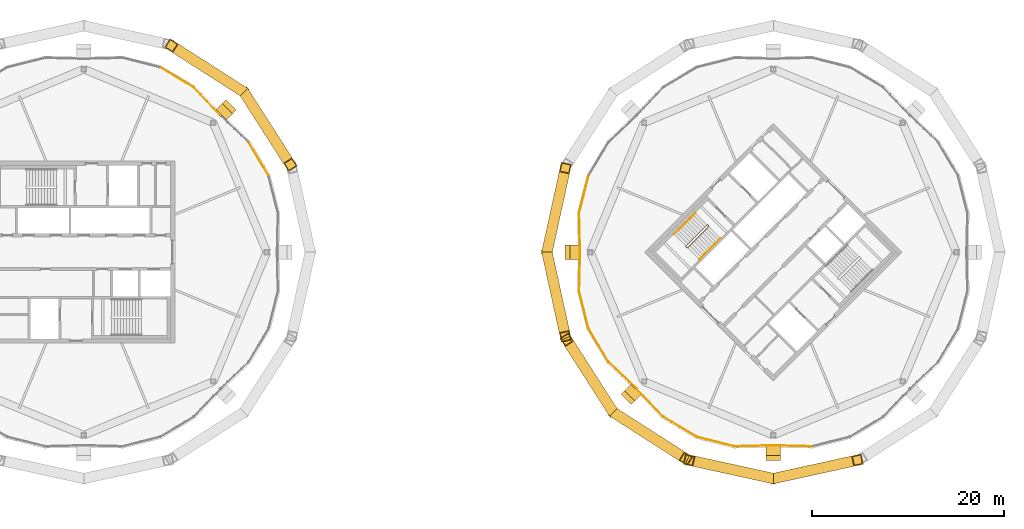
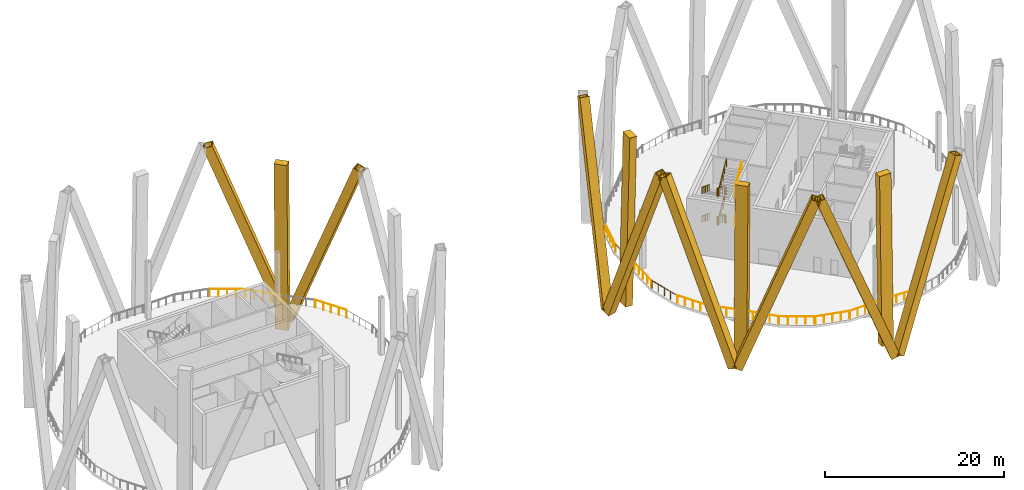
# One storey, part 11 of 13: 19 railings, 12 coverings.
"""IFC4 building model written with IfcOpenShell, lengths in metres."""

from ifc_helpers import new_model, si_unit, direction, frame, origin, origin_2d, place, context, subcontext, project, spatial, rectangle, hollow_rectangle, circle, extrude, material, material_profile, profile_set, type_object, element, save


model = new_model("IFC4")

# Units and contexts
model_context = context("Model", 3, precision=1e-05, world=origin(), true_north=direction((0.0, 1.0)))
body_context = subcontext(model_context, "Body", "Model", "MODEL_VIEW")
ifc_project = project(units=[si_unit("LENGTHUNIT", "METRE"), si_unit("AREAUNIT", "SQUARE_METRE"), si_unit("VOLUMEUNIT", "CUBIC_METRE"), si_unit("PLANEANGLEUNIT", "RADIAN"), si_unit("MASSUNIT", "GRAM", prefix="KILO")], contexts=[model_context])

# Site, building, storey
site_placement = place(None, origin())
site = spatial("IfcSite", under=ifc_project, at=site_placement, CompositionType="ELEMENT")
building_placement = place(site_placement, origin())
building = spatial("IfcBuilding", under=site, at=building_placement, Name="Ogive Gate Towers", CompositionType="ELEMENT")
storey_placement = place(building_placement, frame((0.0, 0.0, 221.10009765625)))
storey = spatial("IfcBuildingStorey", under=building, at=storey_placement, Name="L53", CompositionType="ELEMENT", Elevation=221.10009765625)

# Coverings
ifc_material_1 = material(Name="Pale metal aluminium", Category="aluminium")
ifc_material_profile_1 = material_profile(ifc_material_1, rectangle(XDim=1.5, YDim=0.89990234375, at=origin_2d()), Name="1500 x 900 pale metal aluminium")
ifc_profile_set_1 = profile_set([ifc_material_profile_1], Name="Pale metal aluminium")
covering_type_1 = type_object("IfcCoveringType", Name="Crease colonnette 1500 x 900", PredefinedType="CLADDING", material=ifc_profile_set_1)
for number, where, z_axis, x_axis, name in (
    (1, (-20.938720703125, 15.061279296875, -4.10009765625), (-0.016658843266, -0.016658843266, 0.999722444423), (0.707106781187, -0.707106781187, 0.0), "Crease colonnette"),
    (2, (14.699951171875, 0.0, -4.10009765625), (0.023576037518, 0.0, 0.999722046598), (0.0, 1.0, 0.0), "Crease colonnette"),
    (3, (20.938720703125, -15.061279296875, -4.10009765625), (0.016658843266, 0.016658843266, 0.999722444423), (-0.707106781187, 0.707106781187, 0.0), "Crease colonnette"),
    (4, (36.0, -21.300048828125, -4.10009765625), (0.0, 0.023576037518, 0.999722046598), (-1.0, 0.0, 0.0), "Crease colonnette"),
):
    element("IfcCovering", number, at=place(storey_placement, frame(where, z_axis=z_axis, x_axis=x_axis)), inside=storey, type_object=covering_type_1, Name=name, PredefinedType="CLADDING", context=body_context, shape_type="SweptSolid", body=[
        extrude(rectangle(XDim=1.5, YDim=0.89990234375, at=origin_2d()), origin(), (0.0, 0.0, 1.0), 22.90625),
    ])
ifc_material_2 = material(Name="Pale metal aluminium cladding", Category="aluminium")
ifc_material_profile_2 = material_profile(ifc_material_2, hollow_rectangle(XDim=1.10009765625, YDim=1.10009765625, WallThickness=0.10009765625, at=origin_2d()), Name="1100 x 1100 pale metal casing")
ifc_profile_set_2 = profile_set([ifc_material_profile_2], Name="Pale metal aluminium cladding")
covering_type_2 = type_object("IfcCoveringType", Name="Diagrid casing 1100 x 1100", PredefinedType="CLADDING", material=ifc_profile_set_2)
for number, where, z_axis, x_axis, name in (
    (5, (-19.178955078125, 16.55224609375, -4.28564453125), (0.1908382324, -0.297856011223, 0.935340882049), (0.842001268927, 0.539475544511, 0.0), "Diagrid casing"),
    (6, (-19.44775390625, 16.821044921875, -4.28564453125), (-0.297856011223, 0.1908382324, 0.935340882049), (-0.539475544511, -0.842001268927, 0.0), "Diagrid casing"),
    (7, (12.401611328125, 0.190185546875, -4.28564453125), (0.075666188723, 0.345556326789, 0.935342425479), (-0.976855297025, 0.21390121242, 0.0), "Diagrid casing"),
    (8, (12.401611328125, -0.190185546875, -4.28564453125), (0.075666188723, -0.345556326789, 0.935342425479), (0.976855297025, 0.21390121242, 0.0), "Diagrid casing"),
    (9, (19.178955078125, -16.55224609375, -4.28564453125), (-0.1908382324, 0.297856011223, 0.935340882049), (-0.842001268927, -0.539475544511, 0.0), "Diagrid casing"),
    (10, (19.44775390625, -16.821044921875, -4.28564453125), (0.297856011223, -0.1908382324, 0.935340882049), (0.539475544511, 0.842001268927, 0.0), "Diagrid casing"),
    (11, (35.809814453125, -23.598388671875, -4.28564453125), (-0.345556326789, 0.075666188723, 0.935342425479), (-0.21390121242, -0.976855297025, 0.0), "Diagrid casing"),
    (12, (36.190185546875, -23.598388671875, -4.28564453125), (0.345556326789, 0.075666188723, 0.935342425479), (-0.21390121242, 0.976855297025, 0.0), "Diagrid casing"),
):
    element("IfcCovering", number, at=place(storey_placement, frame(where, z_axis=z_axis, x_axis=x_axis)), inside=storey, type_object=covering_type_2, Name=name, PredefinedType="CLADDING", context=body_context, shape_type="SweptSolid", body=[
        extrude(hollow_rectangle(XDim=1.10009765625, YDim=1.10009765625, WallThickness=0.10009765625, at=origin_2d()), origin(), (0.0, 0.0, 1.0), 24.8798828125),
    ])

# Railings
ifc_material_3 = material(Name="Stainless steel", Category="steel")
railing_type_1 = type_object("IfcRailingType", Name="Guard 1100", PredefinedType="GUARDRAIL", material=ifc_material_3)
railing_1_placement = place(storey_placement, frame((-16.737060546875, 8.032470703125, 0.0)))
element("IfcRailing", 13, at=railing_1_placement, inside=storey, type_object=railing_type_1, Name="Wind floor guard", PredefinedType="GUARDRAIL", context=body_context, shape_type="SweptSolid", body=[
    extrude(circle(Radius=0.02392578125, at=origin_2d()), frame((0.0, 0.0, 1.076171875), z_axis=(-0.513489284672, 0.858096005426, 0.0), x_axis=(-0.858096005426, -0.513489284672, 0.0)), (0.0, 0.0, 1.0), 3.9609375),
    extrude(circle(Radius=0.02099609375, at=origin_2d()), origin(), (0.0, 0.0, 1.0), 1.052001953125),
    extrude(circle(Radius=0.02099609375, at=origin_2d()), frame((-0.508544921875, 0.849609375, 0.0)), (0.0, 0.0, 1.0), 1.052001953125),
    extrude(circle(Radius=0.02099609375, at=origin_2d()), frame((-1.01708984375, 1.699462890625, 0.0)), (0.0, 0.0, 1.0), 1.052001953125),
    extrude(circle(Radius=0.02099609375, at=origin_2d()), frame((-1.525390625, 2.54931640625, 0.0)), (0.0, 0.0, 1.0), 1.052001953125),
    extrude(circle(Radius=0.02099609375, at=origin_2d()), frame((-2.033935546875, 3.39892578125, 0.0)), (0.0, 0.0, 1.0), 1.052001953125),
])
railing_2_placement = place(storey_placement, frame((-21.76513671875, 14.3056640625, 0.0)))
element("IfcRailing", 14, at=railing_2_placement, inside=storey, type_object=railing_type_1, Name="Wind floor guard", PredefinedType="GUARDRAIL", context=body_context, shape_type="SweptSolid", body=[
    extrude(circle(Radius=0.02392578125, at=origin_2d()), frame((0.0, 0.0, 1.076171875), z_axis=(-0.689756969801, 0.724040967494, 0.0), x_axis=(-0.724040967494, -0.689756969801, 0.0)), (0.0, 0.0, 1.0), 3.9521484375),
    extrude(circle(Radius=0.02099609375, at=origin_2d()), origin(), (0.0, 0.0, 1.0), 1.052001953125),
    extrude(circle(Radius=0.02099609375, at=origin_2d()), frame((-0.681640625, 0.71533203125, 0.0)), (0.0, 0.0, 1.0), 1.052001953125),
    extrude(circle(Radius=0.02099609375, at=origin_2d()), frame((-1.363037109375, 1.4306640625, 0.0)), (0.0, 0.0, 1.0), 1.052001953125),
    extrude(circle(Radius=0.02099609375, at=origin_2d()), frame((-2.04443359375, 2.146240234375, 0.0)), (0.0, 0.0, 1.0), 1.052001953125),
    extrude(circle(Radius=0.02099609375, at=origin_2d()), frame((-2.72607421875, 2.861572265625, 0.0)), (0.0, 0.0, 1.0), 1.052001953125),
])
railing_3_placement = place(storey_placement, frame((-24.568603515625, 17.22900390625, 0.0)))
element("IfcRailing", 15, at=railing_3_placement, inside=storey, type_object=railing_type_1, Name="Wind floor guard", PredefinedType="GUARDRAIL", context=body_context, shape_type="SweptSolid", body=[
    extrude(circle(Radius=0.02392578125, at=origin_2d()), frame((0.0, 0.0, 1.076171875), z_axis=(-0.858096005426, 0.513489284672, 0.0), x_axis=(-0.513489284672, -0.858096005426, 0.0)), (0.0, 0.0, 1.0), 3.9609375),
    extrude(circle(Radius=0.02099609375, at=origin_2d()), origin(), (0.0, 0.0, 1.0), 1.052001953125),
    extrude(circle(Radius=0.02099609375, at=origin_2d()), frame((-0.849609375, 0.508544921875, 0.0)), (0.0, 0.0, 1.0), 1.052001953125),
    extrude(circle(Radius=0.02099609375, at=origin_2d()), frame((-1.699462890625, 1.01708984375, 0.0)), (0.0, 0.0, 1.0), 1.052001953125),
    extrude(circle(Radius=0.02099609375, at=origin_2d()), frame((-2.54931640625, 1.525390625, 0.0)), (0.0, 0.0, 1.0), 1.052001953125),
    extrude(circle(Radius=0.02099609375, at=origin_2d()), frame((-3.39892578125, 2.033935546875, 0.0)), (0.0, 0.0, 1.0), 1.052001953125),
])
railing_4_placement = place(storey_placement, frame((16.69921875, 7.941162109375, 0.0)))
element("IfcRailing", 16, at=railing_4_placement, inside=storey, type_object=railing_type_1, Name="Wind floor guard", PredefinedType="GUARDRAIL", context=body_context, shape_type="SweptSolid", body=[
    extrude(circle(Radius=0.02392578125, at=origin_2d()), frame((0.0, 0.0, 1.076171875), z_axis=(-0.243710163723, -0.969848109808, 0.0), x_axis=(0.969848109808, -0.243710163723, 0.0)), (0.0, 0.0, 1.0), 3.9609375),
    extrude(circle(Radius=0.02099609375, at=origin_2d()), origin(), (0.0, 0.0, 1.0), 1.052001953125),
    extrude(circle(Radius=0.02099609375, at=origin_2d()), frame((-0.2412109375, -0.96044921875, 0.0)), (0.0, 0.0, 1.0), 1.052001953125),
    extrude(circle(Radius=0.02099609375, at=origin_2d()), frame((-0.482666015625, -1.9208984375, 0.0)), (0.0, 0.0, 1.0), 1.052001953125),
    extrude(circle(Radius=0.02099609375, at=origin_2d()), frame((-0.72412109375, -2.881103515625, 0.0)), (0.0, 0.0, 1.0), 1.052001953125),
    extrude(circle(Radius=0.02099609375, at=origin_2d()), frame((-0.96533203125, -3.841552734375, 0.0)), (0.0, 0.0, 1.0), 1.052001953125),
])
railing_5_placement = place(storey_placement, frame((15.722900390625, 4.001220703125, 0.0)))
element("IfcRailing", 17, at=railing_5_placement, inside=storey, type_object=railing_type_1, Name="Wind floor guard", PredefinedType="GUARDRAIL", context=body_context, shape_type="SweptSolid", body=[
    extrude(circle(Radius=0.02392578125, at=origin_2d()), frame((0.0, 0.0, 1.076171875), z_axis=(0.024276086252, -0.999705292392, 0.0), x_axis=(0.999705292392, 0.024276086252, 0.0)), (0.0, 0.0, 1.0), 3.952392578125),
    extrude(circle(Radius=0.02099609375, at=origin_2d()), origin(), (0.0, 0.0, 1.0), 1.052001953125),
    extrude(circle(Radius=0.02099609375, at=origin_2d()), frame((0.02392578125, -0.98779296875, 0.0)), (0.0, 0.0, 1.0), 1.052001953125),
    extrude(circle(Radius=0.02099609375, at=origin_2d()), frame((0.0478515625, -1.9755859375, 0.0)), (0.0, 0.0, 1.0), 1.052001953125),
    extrude(circle(Radius=0.02099609375, at=origin_2d()), frame((0.072021484375, -2.96337890625, 0.0)), (0.0, 0.0, 1.0), 1.052001953125),
    extrude(circle(Radius=0.02099609375, at=origin_2d()), frame((0.095947265625, -3.951171875, 0.0)), (0.0, 0.0, 1.0), 1.052001953125),
])
railing_6_placement = place(storey_placement, frame((15.81884765625, -0.050048828125, 0.0)))
element("IfcRailing", 18, at=railing_6_placement, inside=storey, type_object=railing_type_1, Name="Wind floor guard", PredefinedType="GUARDRAIL", context=body_context, shape_type="SweptSolid", body=[
    extrude(circle(Radius=0.02392578125, at=origin_2d()), frame((0.0, 0.0, 1.076171875), z_axis=(-0.024276086252, -0.999705292392, 0.0), x_axis=(0.999705292392, -0.024276086252, 0.0)), (0.0, 0.0, 1.0), 3.952392578125),
    extrude(circle(Radius=0.02099609375, at=origin_2d()), origin(), (0.0, 0.0, 1.0), 1.052001953125),
    extrude(circle(Radius=0.02099609375, at=origin_2d()), frame((-0.02392578125, -0.98779296875, 0.0)), (0.0, 0.0, 1.0), 1.052001953125),
    extrude(circle(Radius=0.02099609375, at=origin_2d()), frame((-0.0478515625, -1.9755859375, 0.0)), (0.0, 0.0, 1.0), 1.052001953125),
    extrude(circle(Radius=0.02099609375, at=origin_2d()), frame((-0.072021484375, -2.96337890625, 0.0)), (0.0, 0.0, 1.0), 1.052001953125),
    extrude(circle(Radius=0.02099609375, at=origin_2d()), frame((-0.095947265625, -3.951171875, 0.0)), (0.0, 0.0, 1.0), 1.052001953125),
])
railing_7_placement = place(storey_placement, frame((15.73388671875, -4.099609375, 0.0)))
element("IfcRailing", 19, at=railing_7_placement, inside=storey, type_object=railing_type_1, Name="Wind floor guard", PredefinedType="GUARDRAIL", context=body_context, shape_type="SweptSolid", body=[
    extrude(circle(Radius=0.02392578125, at=origin_2d()), frame((0.0, 0.0, 1.076171875), z_axis=(0.243710163723, -0.969848109808, 0.0), x_axis=(0.969848109808, 0.243710163723, 0.0)), (0.0, 0.0, 1.0), 3.9609375),
    extrude(circle(Radius=0.02099609375, at=origin_2d()), origin(), (0.0, 0.0, 1.0), 1.052001953125),
    extrude(circle(Radius=0.02099609375, at=origin_2d()), frame((0.2412109375, -0.96044921875, 0.0)), (0.0, 0.0, 1.0), 1.052001953125),
    extrude(circle(Radius=0.02099609375, at=origin_2d()), frame((0.482666015625, -1.9208984375, 0.0)), (0.0, 0.0, 1.0), 1.052001953125),
    extrude(circle(Radius=0.02099609375, at=origin_2d()), frame((0.72412109375, -2.881103515625, 0.0)), (0.0, 0.0, 1.0), 1.052001953125),
    extrude(circle(Radius=0.02099609375, at=origin_2d()), frame((0.96533203125, -3.841552734375, 0.0)), (0.0, 0.0, 1.0), 1.052001953125),
])
railing_8_placement = place(storey_placement, frame((16.737060546875, -8.032470703125, 0.0)))
element("IfcRailing", 20, at=railing_8_placement, inside=storey, type_object=railing_type_1, Name="Wind floor guard", PredefinedType="GUARDRAIL", context=body_context, shape_type="SweptSolid", body=[
    extrude(circle(Radius=0.02392578125, at=origin_2d()), frame((0.0, 0.0, 1.076171875), z_axis=(0.513489284672, -0.858096005426, 0.0), x_axis=(0.858096005426, 0.513489284672, 0.0)), (0.0, 0.0, 1.0), 3.9609375),
    extrude(circle(Radius=0.02099609375, at=origin_2d()), origin(), (0.0, 0.0, 1.0), 1.052001953125),
    extrude(circle(Radius=0.02099609375, at=origin_2d()), frame((0.508544921875, -0.849609375, 0.0)), (0.0, 0.0, 1.0), 1.052001953125),
    extrude(circle(Radius=0.02099609375, at=origin_2d()), frame((1.01708984375, -1.699462890625, 0.0)), (0.0, 0.0, 1.0), 1.052001953125),
    extrude(circle(Radius=0.02099609375, at=origin_2d()), frame((1.525390625, -2.54931640625, 0.0)), (0.0, 0.0, 1.0), 1.052001953125),
    extrude(circle(Radius=0.02099609375, at=origin_2d()), frame((2.033935546875, -3.39892578125, 0.0)), (0.0, 0.0, 1.0), 1.052001953125),
])
railing_9_placement = place(storey_placement, frame((18.832763671875, -11.5087890625, 0.0)))
element("IfcRailing", 21, at=railing_9_placement, inside=storey, type_object=railing_type_1, Name="Wind floor guard", PredefinedType="GUARDRAIL", context=body_context, shape_type="SweptSolid", body=[
    extrude(circle(Radius=0.02392578125, at=origin_2d()), frame((0.0, 0.0, 1.076171875), z_axis=(0.724040967494, -0.689756969801, 0.0), x_axis=(0.689756969801, 0.724040967494, 0.0)), (0.0, 0.0, 1.0), 3.9521484375),
    extrude(circle(Radius=0.02099609375, at=origin_2d()), origin(), (0.0, 0.0, 1.0), 1.052001953125),
    extrude(circle(Radius=0.02099609375, at=origin_2d()), frame((0.71533203125, -0.681640625, 0.0)), (0.0, 0.0, 1.0), 1.052001953125),
    extrude(circle(Radius=0.02099609375, at=origin_2d()), frame((1.4306640625, -1.363037109375, 0.0)), (0.0, 0.0, 1.0), 1.052001953125),
    extrude(circle(Radius=0.02099609375, at=origin_2d()), frame((2.146240234375, -2.04443359375, 0.0)), (0.0, 0.0, 1.0), 1.052001953125),
    extrude(circle(Radius=0.02099609375, at=origin_2d()), frame((2.861572265625, -2.72607421875, 0.0)), (0.0, 0.0, 1.0), 1.052001953125),
])
railing_10_placement = place(storey_placement, frame((21.76513671875, -14.3056640625, 0.0)))
element("IfcRailing", 22, at=railing_10_placement, inside=storey, type_object=railing_type_1, Name="Wind floor guard", PredefinedType="GUARDRAIL", context=body_context, shape_type="SweptSolid", body=[
    extrude(circle(Radius=0.02392578125, at=origin_2d()), frame((0.0, 0.0, 1.076171875), z_axis=(0.689756969801, -0.724040967494, 0.0), x_axis=(0.724040967494, 0.689756969801, 0.0)), (0.0, 0.0, 1.0), 3.9521484375),
    extrude(circle(Radius=0.02099609375, at=origin_2d()), origin(), (0.0, 0.0, 1.0), 1.052001953125),
    extrude(circle(Radius=0.02099609375, at=origin_2d()), frame((0.681640625, -0.71533203125, 0.0)), (0.0, 0.0, 1.0), 1.052001953125),
    extrude(circle(Radius=0.02099609375, at=origin_2d()), frame((1.363037109375, -1.4306640625, 0.0)), (0.0, 0.0, 1.0), 1.052001953125),
    extrude(circle(Radius=0.02099609375, at=origin_2d()), frame((2.04443359375, -2.146240234375, 0.0)), (0.0, 0.0, 1.0), 1.052001953125),
    extrude(circle(Radius=0.02099609375, at=origin_2d()), frame((2.72607421875, -2.861572265625, 0.0)), (0.0, 0.0, 1.0), 1.052001953125),
])
railing_11_placement = place(storey_placement, frame((24.568603515625, -17.22900390625, 0.0)))
element("IfcRailing", 23, at=railing_11_placement, inside=storey, type_object=railing_type_1, Name="Wind floor guard", PredefinedType="GUARDRAIL", context=body_context, shape_type="SweptSolid", body=[
    extrude(circle(Radius=0.02392578125, at=origin_2d()), frame((0.0, 0.0, 1.076171875), z_axis=(0.858096005426, -0.513489284672, 0.0), x_axis=(0.513489284672, 0.858096005426, 0.0)), (0.0, 0.0, 1.0), 3.9609375),
    extrude(circle(Radius=0.02099609375, at=origin_2d()), origin(), (0.0, 0.0, 1.0), 1.052001953125),
    extrude(circle(Radius=0.02099609375, at=origin_2d()), frame((0.849609375, -0.508544921875, 0.0)), (0.0, 0.0, 1.0), 1.052001953125),
    extrude(circle(Radius=0.02099609375, at=origin_2d()), frame((1.699462890625, -1.01708984375, 0.0)), (0.0, 0.0, 1.0), 1.052001953125),
    extrude(circle(Radius=0.02099609375, at=origin_2d()), frame((2.54931640625, -1.525390625, 0.0)), (0.0, 0.0, 1.0), 1.052001953125),
    extrude(circle(Radius=0.02099609375, at=origin_2d()), frame((3.39892578125, -2.033935546875, 0.0)), (0.0, 0.0, 1.0), 1.052001953125),
])
railing_12_placement = place(storey_placement, frame((28.058837890625, -19.30078125, 0.0)))
element("IfcRailing", 24, at=railing_12_placement, inside=storey, type_object=railing_type_1, Name="Wind floor guard", PredefinedType="GUARDRAIL", context=body_context, shape_type="SweptSolid", body=[
    extrude(circle(Radius=0.02392578125, at=origin_2d()), frame((0.0, 0.0, 1.076171875), z_axis=(0.969848109808, -0.243710163723, 0.0), x_axis=(0.243710163723, 0.969848109808, 0.0)), (0.0, 0.0, 1.0), 3.9609375),
    extrude(circle(Radius=0.02099609375, at=origin_2d()), origin(), (0.0, 0.0, 1.0), 1.052001953125),
    extrude(circle(Radius=0.02099609375, at=origin_2d()), frame((0.96044921875, -0.2412109375, 0.0)), (0.0, 0.0, 1.0), 1.052001953125),
    extrude(circle(Radius=0.02099609375, at=origin_2d()), frame((1.9208984375, -0.482666015625, 0.0)), (0.0, 0.0, 1.0), 1.052001953125),
    extrude(circle(Radius=0.02099609375, at=origin_2d()), frame((2.881103515625, -0.72412109375, 0.0)), (0.0, 0.0, 1.0), 1.052001953125),
    extrude(circle(Radius=0.02099609375, at=origin_2d()), frame((3.841552734375, -0.96533203125, 0.0)), (0.0, 0.0, 1.0), 1.052001953125),
])
railing_13_placement = place(storey_placement, frame((31.998779296875, -20.277099609375, 0.0)))
element("IfcRailing", 25, at=railing_13_placement, inside=storey, type_object=railing_type_1, Name="Wind floor guard", PredefinedType="GUARDRAIL", context=body_context, shape_type="SweptSolid", body=[
    extrude(circle(Radius=0.02392578125, at=origin_2d()), frame((0.0, 0.0, 1.076171875), z_axis=(0.999705292392, 0.024276086252, 0.0), x_axis=(-0.024276086252, 0.999705292392, 0.0)), (0.0, 0.0, 1.0), 3.952392578125),
    extrude(circle(Radius=0.02099609375, at=origin_2d()), origin(), (0.0, 0.0, 1.0), 1.052001953125),
    extrude(circle(Radius=0.02099609375, at=origin_2d()), frame((0.98779296875, 0.02392578125, 0.0)), (0.0, 0.0, 1.0), 1.052001953125),
    extrude(circle(Radius=0.02099609375, at=origin_2d()), frame((1.9755859375, 0.0478515625, 0.0)), (0.0, 0.0, 1.0), 1.052001953125),
    extrude(circle(Radius=0.02099609375, at=origin_2d()), frame((2.96337890625, 0.072021484375, 0.0)), (0.0, 0.0, 1.0), 1.052001953125),
    extrude(circle(Radius=0.02099609375, at=origin_2d()), frame((3.951171875, 0.095947265625, 0.0)), (0.0, 0.0, 1.0), 1.052001953125),
])
railing_14_placement = place(storey_placement, frame((36.050048828125, -20.18115234375, 0.0)))
element("IfcRailing", 26, at=railing_14_placement, inside=storey, type_object=railing_type_1, Name="Wind floor guard", PredefinedType="GUARDRAIL", context=body_context, shape_type="SweptSolid", body=[
    extrude(circle(Radius=0.02392578125, at=origin_2d()), frame((0.0, 0.0, 1.076171875), z_axis=(0.999705292392, -0.024276086252, 0.0), x_axis=(0.024276086252, 0.999705292392, 0.0)), (0.0, 0.0, 1.0), 3.952392578125),
    extrude(circle(Radius=0.02099609375, at=origin_2d()), origin(), (0.0, 0.0, 1.0), 1.052001953125),
    extrude(circle(Radius=0.02099609375, at=origin_2d()), frame((0.98779296875, -0.02392578125, 0.0)), (0.0, 0.0, 1.0), 1.052001953125),
    extrude(circle(Radius=0.02099609375, at=origin_2d()), frame((1.9755859375, -0.0478515625, 0.0)), (0.0, 0.0, 1.0), 1.052001953125),
    extrude(circle(Radius=0.02099609375, at=origin_2d()), frame((2.96337890625, -0.072021484375, 0.0)), (0.0, 0.0, 1.0), 1.052001953125),
    extrude(circle(Radius=0.02099609375, at=origin_2d()), frame((3.951171875, -0.095947265625, 0.0)), (0.0, 0.0, 1.0), 1.052001953125),
])
railing_type_2 = type_object("IfcRailingType", Name="Stair guard 1100", PredefinedType="GUARDRAIL", material=ifc_material_3)
railing_15_placement = place(storey_placement, frame((29.15869140625, 2.8603515625, 0.0)))
element("IfcRailing", 27, at=railing_15_placement, inside=storey, type_object=railing_type_2, Name="L53 ST1 stair guard 1", PredefinedType="GUARDRAIL", context=body_context, shape_type="SweptSolid", body=[
    extrude(circle(Radius=0.02392578125, at=origin_2d()), frame((0.0, 0.0, 1.076171875), z_axis=(0.707106781187, -0.707106781187, 0.0), x_axis=(0.707106781187, 0.707106781187, 0.0)), (0.0, 0.0, 1.0), 0.14501953125),
    extrude(circle(Radius=0.02392578125, at=origin_2d()), frame((0.1025390625, -0.1025390625, 1.076171875), z_axis=(-0.645571447971, 0.382425963537, 0.661050594114), x_axis=(-0.509669330572, -0.860370369942, 0.0)), (0.0, 0.0, 1.0), 0.26806640625),
    extrude(circle(Radius=0.02392578125, at=origin_2d()), frame((-0.070556640625, 0.0, 1.25341796875), z_axis=(-0.61558473135, -0.61558473135, 0.49204763698), x_axis=(0.707106781187, -0.707106781187, 0.0)), (0.0, 0.0, 1.0), 3.602783203125),
    extrude(circle(Radius=0.02392578125, at=origin_2d()), frame((-2.288330078125, -2.2177734375, 3.02587890625), z_axis=(0.0, -1.0, 0.0), x_axis=(1.0, 0.0, 0.0)), (0.0, 0.0, 1.0), 0.07080078125),
    extrude(circle(Radius=0.02392578125, at=origin_2d()), frame((-2.288330078125, -2.28857421875, 3.02587890625), z_axis=(0.707106781187, -0.707106781187, 0.0), x_axis=(0.707106781187, 0.707106781187, 0.0)), (0.0, 0.0, 1.0), 0.14501953125),
    extrude(circle(Radius=0.02392578125, at=origin_2d()), frame((-2.185791015625, -2.39111328125, 3.02587890625), z_axis=(0.369845645421, 0.0, 0.929093213065), x_axis=(0.0, 1.0, 0.0)), (0.0, 0.0, 1.0), 0.190673828125),
    extrude(circle(Radius=0.02392578125, at=origin_2d()), frame((-2.115234375, -2.39111328125, 3.203125), z_axis=(0.61558473135, 0.61558473135, 0.49204763698), x_axis=(-0.707106781187, 0.707106781187, 0.0)), (0.0, 0.0, 1.0), 3.602783203125),
    extrude(circle(Radius=0.02392578125, at=origin_2d()), frame((0.1025390625, -0.17333984375, 4.97607421875), z_axis=(-0.509137664008, 0.860685098679, 0.0), x_axis=(-0.860685098679, -0.509137664008, 0.0)), (0.0, 0.0, 1.0), 0.201416015625),
    extrude(circle(Radius=0.02392578125, at=origin_2d()), frame((0.0, 0.0, 4.97607421875), z_axis=(0.707106781187, -0.707106781187, 0.0), x_axis=(0.707106781187, 0.707106781187, 0.0)), (0.0, 0.0, 1.0), 0.14501953125),
    extrude(circle(Radius=0.02392578125, at=origin_2d()), frame((0.1025390625, -0.1025390625, 4.97607421875), z_axis=(-0.645571447971, 0.382425963537, 0.661050594114), x_axis=(-0.509669330572, -0.860370369942, 0.0)), (0.0, 0.0, 1.0), 0.26806640625),
    extrude(circle(Radius=0.02392578125, at=origin_2d()), frame((-0.070556640625, 0.0, 5.1533203125), z_axis=(-0.61558473135, -0.61558473135, 0.49204763698), x_axis=(0.707106781187, -0.707106781187, 0.0)), (0.0, 0.0, 1.0), 3.602783203125),
    extrude(circle(Radius=0.02392578125, at=origin_2d()), frame((-2.288330078125, -2.2177734375, 6.92578125), z_axis=(0.0, -1.0, 0.0), x_axis=(1.0, 0.0, 0.0)), (0.0, 0.0, 1.0), 0.07080078125),
    extrude(circle(Radius=0.02392578125, at=origin_2d()), frame((-2.288330078125, -2.28857421875, 6.92578125), z_axis=(0.707106781187, -0.707106781187, 0.0), x_axis=(0.707106781187, 0.707106781187, 0.0)), (0.0, 0.0, 1.0), 0.14501953125),
    extrude(circle(Radius=0.02392578125, at=origin_2d()), frame((-2.185791015625, -2.39111328125, 6.92578125), z_axis=(0.369845645421, 0.0, 0.929093213065), x_axis=(0.0, 1.0, 0.0)), (0.0, 0.0, 1.0), 0.190673828125),
    extrude(circle(Radius=0.02392578125, at=origin_2d()), frame((-2.115234375, -2.39111328125, 7.10302734375), z_axis=(0.61558473135, 0.61558473135, 0.49204763698), x_axis=(-0.707106781187, 0.707106781187, 0.0)), (0.0, 0.0, 1.0), 3.602783203125),
    extrude(circle(Radius=0.02099609375, at=origin_2d()), origin(), (0.0, 0.0, 1.0), 1.052001953125),
    extrude(circle(Radius=0.02099609375, at=origin_2d()), frame((0.1025390625, -0.1025390625, 0.0)), (0.0, 0.0, 1.0), 1.052001953125),
    extrude(circle(Radius=0.02099609375, at=origin_2d()), frame((-0.070556640625, 0.0, 0.17724609375)), (0.0, 0.0, 1.0), 1.052001953125),
    extrude(circle(Radius=0.02099609375, at=origin_2d()), frame((-0.625, -0.554443359375, 0.620361328125)), (0.0, 0.0, 1.0), 1.052001953125),
    extrude(circle(Radius=0.02099609375, at=origin_2d()), frame((-1.179443359375, -1.10888671875, 1.0634765625)), (0.0, 0.0, 1.0), 1.052001953125),
    extrude(circle(Radius=0.02099609375, at=origin_2d()), frame((-1.73388671875, -1.663330078125, 1.5068359375)), (0.0, 0.0, 1.0), 1.052001953125),
    extrude(circle(Radius=0.02099609375, at=origin_2d()), frame((-2.288330078125, -2.2177734375, 1.949951171875)), (0.0, 0.0, 1.0), 1.052001953125),
    extrude(circle(Radius=0.02099609375, at=origin_2d()), frame((-2.288330078125, -2.28857421875, 1.949951171875)), (0.0, 0.0, 1.0), 1.052001953125),
    extrude(circle(Radius=0.02099609375, at=origin_2d()), frame((-2.185791015625, -2.39111328125, 1.949951171875)), (0.0, 0.0, 1.0), 1.052001953125),
    extrude(circle(Radius=0.02099609375, at=origin_2d()), frame((-2.115234375, -2.39111328125, 2.127197265625)), (0.0, 0.0, 1.0), 1.052001953125),
    extrude(circle(Radius=0.02099609375, at=origin_2d()), frame((-1.560791015625, -1.836669921875, 2.5703125)), (0.0, 0.0, 1.0), 1.052001953125),
    extrude(circle(Radius=0.02099609375, at=origin_2d()), frame((-1.00634765625, -1.2822265625, 3.013671875)), (0.0, 0.0, 1.0), 1.052001953125),
    extrude(circle(Radius=0.02099609375, at=origin_2d()), frame((-0.451904296875, -0.727783203125, 3.456787109375)), (0.0, 0.0, 1.0), 1.052001953125),
    extrude(circle(Radius=0.02099609375, at=origin_2d()), frame((0.1025390625, -0.17333984375, 3.89990234375)), (0.0, 0.0, 1.0), 1.052001953125),
    extrude(circle(Radius=0.02099609375, at=origin_2d()), frame((0.0, 0.0, 3.89990234375)), (0.0, 0.0, 1.0), 1.052001953125),
    extrude(circle(Radius=0.02099609375, at=origin_2d()), frame((0.1025390625, -0.1025390625, 3.89990234375)), (0.0, 0.0, 1.0), 1.052001953125),
    extrude(circle(Radius=0.02099609375, at=origin_2d()), frame((-0.070556640625, 0.0, 4.0771484375)), (0.0, 0.0, 1.0), 1.052001953125),
    extrude(circle(Radius=0.02099609375, at=origin_2d()), frame((-0.625, -0.554443359375, 4.520263671875)), (0.0, 0.0, 1.0), 1.052001953125),
    extrude(circle(Radius=0.02099609375, at=origin_2d()), frame((-1.179443359375, -1.10888671875, 4.96337890625)), (0.0, 0.0, 1.0), 1.052001953125),
    extrude(circle(Radius=0.02099609375, at=origin_2d()), frame((-1.73388671875, -1.663330078125, 5.40673828125)), (0.0, 0.0, 1.0), 1.052001953125),
    extrude(circle(Radius=0.02099609375, at=origin_2d()), frame((-2.288330078125, -2.2177734375, 5.849853515625)), (0.0, 0.0, 1.0), 1.052001953125),
    extrude(circle(Radius=0.02099609375, at=origin_2d()), frame((-2.288330078125, -2.28857421875, 5.849853515625)), (0.0, 0.0, 1.0), 1.052001953125),
    extrude(circle(Radius=0.02099609375, at=origin_2d()), frame((-2.185791015625, -2.39111328125, 5.849853515625)), (0.0, 0.0, 1.0), 1.052001953125),
    extrude(circle(Radius=0.02099609375, at=origin_2d()), frame((-2.115234375, -2.39111328125, 6.027099609375)), (0.0, 0.0, 1.0), 1.052001953125),
    extrude(circle(Radius=0.02099609375, at=origin_2d()), frame((-1.560791015625, -1.836669921875, 6.47021484375)), (0.0, 0.0, 1.0), 1.052001953125),
    extrude(circle(Radius=0.02099609375, at=origin_2d()), frame((-1.00634765625, -1.2822265625, 6.91357421875)), (0.0, 0.0, 1.0), 1.052001953125),
    extrude(circle(Radius=0.02099609375, at=origin_2d()), frame((-0.451904296875, -0.727783203125, 7.356689453125)), (0.0, 0.0, 1.0), 1.052001953125),
    extrude(circle(Radius=0.02099609375, at=origin_2d()), frame((0.1025390625, -0.17333984375, 7.7998046875)), (0.0, 0.0, 1.0), 1.052001953125),
])
railing_type_3 = type_object("IfcRailingType", Name="Stair handrail 900", PredefinedType="HANDRAIL", material=ifc_material_3)
railing_16_placement = place(storey_placement, frame((27.857666015625, 4.090576171875, 0.17724609375)))
element("IfcRailing", 28, at=railing_16_placement, inside=storey, type_object=railing_type_3, Name="L53 ST1 stair handrail 1", PredefinedType="HANDRAIL", context=body_context, shape_type="SweptSolid", body=[
    extrude(circle(Radius=0.02392578125, at=origin_2d()), frame((0.0, 0.0, 0.8759765625), z_axis=(-0.61558473135, -0.61558473135, 0.49204763698), x_axis=(0.707106781187, -0.707106781187, 0.0)), (0.0, 0.0, 1.0), 3.602783203125),
    extrude(circle(Radius=0.02099609375, at=origin_2d()), origin(), (0.0, 0.0, 1.0), 0.851806640625),
    extrude(circle(Radius=0.02099609375, at=origin_2d()), frame((-0.554443359375, -0.554443359375, 0.443115234375)), (0.0, 0.0, 1.0), 0.851806640625),
    extrude(circle(Radius=0.02099609375, at=origin_2d()), frame((-1.10888671875, -1.10888671875, 0.88623046875)), (0.0, 0.0, 1.0), 0.851806640625),
    extrude(circle(Radius=0.02099609375, at=origin_2d()), frame((-1.663330078125, -1.663330078125, 1.32958984375)), (0.0, 0.0, 1.0), 0.851806640625),
    extrude(circle(Radius=0.02099609375, at=origin_2d()), frame((-2.2177734375, -2.2177734375, 1.772705078125)), (0.0, 0.0, 1.0), 0.851806640625),
])
railing_17_placement = place(storey_placement, frame((28.27392578125, -0.760986328125, 2.127197265625)))
element("IfcRailing", 29, at=railing_17_placement, inside=storey, type_object=railing_type_3, Name="L53 ST1 stair handrail 2", PredefinedType="HANDRAIL", context=body_context, shape_type="SweptSolid", body=[
    extrude(circle(Radius=0.02392578125, at=origin_2d()), frame((0.0, 0.0, 0.8759765625), z_axis=(0.615610411033, 0.615542642384, 0.4920681632), x_axis=(-0.70706785752, 0.70714570271, 0.0)), (0.0, 0.0, 1.0), 3.6025390625),
    extrude(circle(Radius=0.02099609375, at=origin_2d()), origin(), (0.0, 0.0, 1.0), 0.851806640625),
    extrude(circle(Radius=0.02099609375, at=origin_2d()), frame((0.554443359375, 0.554443359375, 0.443115234375)), (0.0, 0.0, 1.0), 0.851806640625),
    extrude(circle(Radius=0.02099609375, at=origin_2d()), frame((1.10888671875, 1.10888671875, 0.88623046875)), (0.0, 0.0, 1.0), 0.851806640625),
    extrude(circle(Radius=0.02099609375, at=origin_2d()), frame((1.663330078125, 1.6630859375, 1.32958984375)), (0.0, 0.0, 1.0), 0.851806640625),
    extrude(circle(Radius=0.02099609375, at=origin_2d()), frame((2.2177734375, 2.217529296875, 1.772705078125)), (0.0, 0.0, 1.0), 0.851806640625),
])
railing_18_placement = place(storey_placement, frame((27.857666015625, 4.090576171875, 4.0771484375)))
element("IfcRailing", 30, at=railing_18_placement, inside=storey, type_object=railing_type_3, Name="L53 ST1 stair handrail 3", PredefinedType="HANDRAIL", context=body_context, shape_type="SweptSolid", body=[
    extrude(circle(Radius=0.02392578125, at=origin_2d()), frame((0.0, 0.0, 0.8759765625), z_axis=(-0.61558473135, -0.61558473135, 0.49204763698), x_axis=(0.707106781187, -0.707106781187, 0.0)), (0.0, 0.0, 1.0), 3.602783203125),
    extrude(circle(Radius=0.02099609375, at=origin_2d()), origin(), (0.0, 0.0, 1.0), 0.851806640625),
    extrude(circle(Radius=0.02099609375, at=origin_2d()), frame((-0.554443359375, -0.554443359375, 0.443115234375)), (0.0, 0.0, 1.0), 0.851806640625),
    extrude(circle(Radius=0.02099609375, at=origin_2d()), frame((-1.10888671875, -1.10888671875, 0.88623046875)), (0.0, 0.0, 1.0), 0.851806640625),
    extrude(circle(Radius=0.02099609375, at=origin_2d()), frame((-1.663330078125, -1.663330078125, 1.32958984375)), (0.0, 0.0, 1.0), 0.851806640625),
    extrude(circle(Radius=0.02099609375, at=origin_2d()), frame((-2.2177734375, -2.2177734375, 1.772705078125)), (0.0, 0.0, 1.0), 0.851806640625),
])
railing_19_placement = place(storey_placement, frame((28.27392578125, -0.760986328125, 6.027099609375)))
element("IfcRailing", 31, at=railing_19_placement, inside=storey, type_object=railing_type_3, Name="L53 ST1 stair handrail 4", PredefinedType="HANDRAIL", context=body_context, shape_type="SweptSolid", body=[
    extrude(circle(Radius=0.02392578125, at=origin_2d()), frame((0.0, 0.0, 0.8759765625), z_axis=(0.615610411033, 0.615542642384, 0.4920681632), x_axis=(-0.70706785752, 0.70714570271, 0.0)), (0.0, 0.0, 1.0), 3.6025390625),
    extrude(circle(Radius=0.02099609375, at=origin_2d()), origin(), (0.0, 0.0, 1.0), 0.851806640625),
    extrude(circle(Radius=0.02099609375, at=origin_2d()), frame((0.554443359375, 0.554443359375, 0.443115234375)), (0.0, 0.0, 1.0), 0.851806640625),
    extrude(circle(Radius=0.02099609375, at=origin_2d()), frame((1.10888671875, 1.10888671875, 0.88623046875)), (0.0, 0.0, 1.0), 0.851806640625),
    extrude(circle(Radius=0.02099609375, at=origin_2d()), frame((1.663330078125, 1.6630859375, 1.32958984375)), (0.0, 0.0, 1.0), 0.851806640625),
    extrude(circle(Radius=0.02099609375, at=origin_2d()), frame((2.2177734375, 2.217529296875, 1.772705078125)), (0.0, 0.0, 1.0), 0.851806640625),
])

save(model, "model.ifc")
